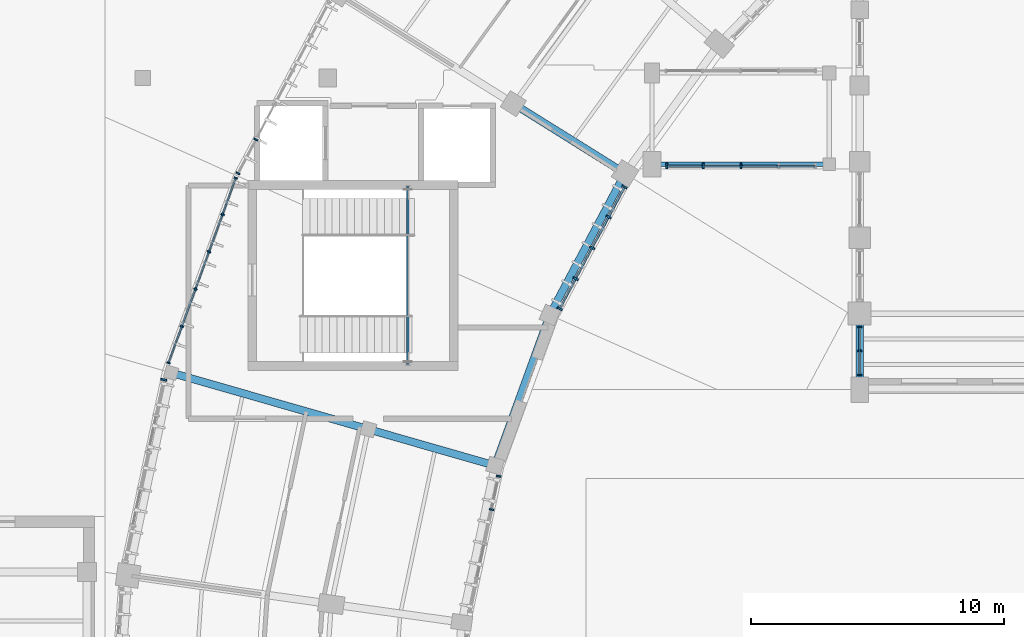
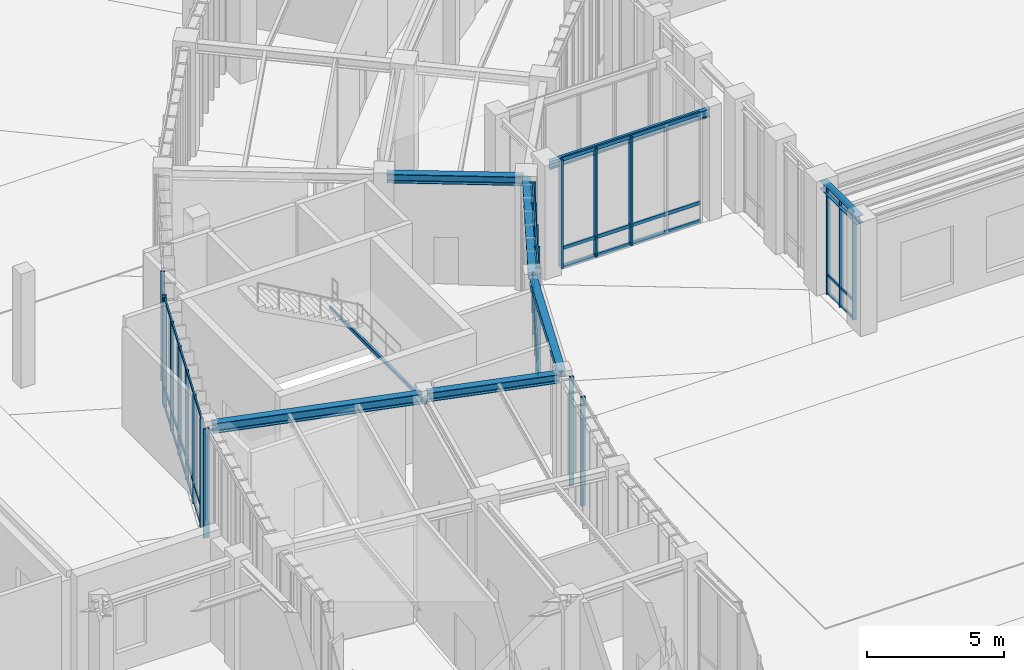
# One storey, part 7 of 68: 35 members, 7 beams, 7 elements without a shape of their own.
"""IFC4 building model written with IfcOpenShell, lengths in metres."""

from ifc_helpers import new_model, si_unit, direction, frame, origin, origin_2d, place, context, subcontext, project, spatial, rectangle, hollow_rectangle, i_section, extrude, material, layer, layer_set, material_profile, profile_set, type_object, element, aggregate, save


model = new_model("IFC4")

# Units and contexts
model_context = context("Model", 3, precision=1e-05, world=origin(), true_north=direction((0.0, 1.0)))
body_context = subcontext(model_context, "Body", "Model", "MODEL_VIEW")
ifc_project = project(units=[si_unit("LENGTHUNIT", "METRE"), si_unit("AREAUNIT", "SQUARE_METRE"), si_unit("VOLUMEUNIT", "CUBIC_METRE"), si_unit("PLANEANGLEUNIT", "RADIAN"), si_unit("MASSUNIT", "GRAM", prefix="KILO"), si_unit("THERMODYNAMICTEMPERATUREUNIT", "KELVIN"), si_unit("POWERUNIT", "WATT")], contexts=[model_context])

# Site, building, storey
site_placement = place(None, origin())
site = spatial("IfcSite", under=ifc_project, at=site_placement, CompositionType="ELEMENT")
building_placement = place(site_placement, origin())
building = spatial("IfcBuilding", under=site, at=building_placement, Name="Solvatero Civic Police Headquarters", CompositionType="ELEMENT")
storey_placement = place(building_placement, origin())
storey = spatial("IfcBuildingStorey", under=building, at=storey_placement, Name="L00", CompositionType="ELEMENT", Elevation=0.0)

# Beams
ifc_material_1 = material(Name="Steel S355", Category="steel")
ifc_material_profile_1 = material_profile(ifc_material_1, i_section(OverallWidth=0.300048828125, OverallDepth=0.2900390625, WebThickness=0.008544921875, FlangeThickness=0.013916015625, FilletRadius=0.027099609375, at=origin_2d()), Name="HEA 300")
ifc_profile_set_1 = profile_set([ifc_material_profile_1], Name="Steel S355")
beam_type_1 = type_object("IfcBeamType", Name="BM-ST-HEA300", PredefinedType="SPANDREL", material=ifc_profile_set_1)
beam_1_placement = place(storey_placement, frame((55.494140625, 49.943603515625, 4.735107421875), z_axis=(-0.469466925059, -0.882950058766, 0.0), x_axis=(0.882950058766, -0.469466925059, 0.0)))
element("IfcBeam", 1, at=beam_1_placement, inside=storey, type_object=beam_type_1, Name="Perimeter / radial spandrel beam BM-R2-L00-ARC-CIN-B09", PredefinedType="SPANDREL", context=body_context, shape_type="SweptSolid", body=[
    extrude(i_section(OverallWidth=0.300048828125, OverallDepth=0.2900390625, WebThickness=0.008544921875, FlangeThickness=0.013916015625, FilletRadius=0.027099609375, at=origin_2d()), origin(), (0.0, 0.0, 1.0), 6.127197265625),
])
beam_2_placement = place(storey_placement, frame((52.53662109375, 44.3515625, 4.735107421875), z_axis=(-0.342050189855, -0.939681684199, 0.0), x_axis=(0.939681684199, -0.342050189855, 0.0)))
element("IfcBeam", 2, at=beam_2_placement, inside=storey, type_object=beam_type_1, Name="Perimeter / radial spandrel beam BM-R2-L00-ARC-CIN-B10", PredefinedType="SPANDREL", context=body_context, shape_type="SweptSolid", body=[
    extrude(i_section(OverallWidth=0.300048828125, OverallDepth=0.2900390625, WebThickness=0.008544921875, FlangeThickness=0.013916015625, FilletRadius=0.027099609375, at=origin_2d()), origin(), (0.0, 0.0, 1.0), 6.126953125),
])
ifc_material_profile_2 = material_profile(ifc_material_1, i_section(OverallWidth=0.300048828125, OverallDepth=0.35009765625, WebThickness=0.010009765625, FlangeThickness=0.017578125, FilletRadius=0.027099609375, at=origin_2d()), Name="HEA 360")
ifc_profile_set_2 = profile_set([ifc_material_profile_2], Name="Steel S355")
beam_type_2 = type_object("IfcBeamType", Name="BM-ST-HEA360", PredefinedType="SPANDREL", material=ifc_profile_set_2)
beam_3_placement = place(storey_placement, frame((64.800048828125, 41.659912109375, 4.705078125), z_axis=(0.0, 1.0, 0.0), x_axis=(-1.0, 0.0, 0.0)))
element("IfcBeam", 3, at=beam_3_placement, inside=storey, type_object=beam_type_2, Name="Perimeter / radial spandrel beam BM-R2-L00-V2-GY-1-1", PredefinedType="SPANDREL", context=body_context, shape_type="SweptSolid", body=[
    extrude(i_section(OverallWidth=0.300048828125, OverallDepth=0.35009765625, WebThickness=0.010009765625, FlangeThickness=0.017578125, FilletRadius=0.027099609375, at=origin_2d()), origin(), (0.0, 0.0, 1.0), 2.68017578125),
])
ifc_material_profile_3 = material_profile(ifc_material_1, i_section(OverallWidth=0.300048828125, OverallDepth=0.389892578125, WebThickness=0.010986328125, FlangeThickness=0.01904296875, FilletRadius=0.027099609375, at=origin_2d()), Name="HEA 400")
ifc_profile_set_3 = profile_set([ifc_material_profile_3], Name="Steel S355")
beam_type_3 = type_object("IfcBeamType", Name="BM-ST-HEA400", PredefinedType="BEAM", material=ifc_profile_set_3)
for number, where, z_axis, x_axis, name in (
    (4, (55.456298828125, 50.084716796875, 4.68505859375), (-0.848042191304, 0.529928713855, 0.0), (-0.529928713855, -0.848042191304, 0.0), "Primary girder BM-R2-L00-ARC-RAD1-S08"),
    (5, (50.310791015625, 38.52783203125, 4.68505859375), (-0.961263719424, 0.275630298987, 0.0), (-0.275630298987, -0.961263719424, 0.0), "Primary girder BM-R2-L00-ARC-RAD1-S10"),
):
    element("IfcBeam", number, at=place(storey_placement, frame(where, z_axis=z_axis, x_axis=x_axis)), inside=storey, type_object=beam_type_3, Name=name, PredefinedType="BEAM", context=body_context, shape_type="SweptSolid", body=[
        extrude(i_section(OverallWidth=0.300048828125, OverallDepth=0.389892578125, WebThickness=0.010986328125, FlangeThickness=0.01904296875, FilletRadius=0.027099609375, at=origin_2d()), origin(), (0.0, 0.0, 1.0), 5.0),
    ])
ifc_material_profile_4 = material_profile(ifc_material_1, i_section(OverallWidth=0.300048828125, OverallDepth=0.43994140625, WebThickness=0.011474609375, FlangeThickness=0.02099609375, FilletRadius=0.027099609375, at=origin_2d()), Name="HEA 450")
ifc_profile_set_4 = profile_set([ifc_material_profile_4], Name="Steel S355")
beam_type_4 = type_object("IfcBeamType", Name="BM-ST-HEA450", PredefinedType="BEAM", material=ifc_profile_set_4)
beam_4_placement = place(storey_placement, frame((45.31201171875, 39.961181640625, 4.659912109375), z_axis=(-0.961271645974, 0.275602653554, 0.0), x_axis=(-0.275602653554, -0.961271645974, 0.0)))
element("IfcBeam", 6, at=beam_4_placement, inside=storey, type_object=beam_type_4, Name="Primary girder BM-R2-L00-ARC-RAD2-S10", PredefinedType="BEAM", context=body_context, shape_type="SweptSolid", body=[
    extrude(i_section(OverallWidth=0.300048828125, OverallDepth=0.43994140625, WebThickness=0.011474609375, FlangeThickness=0.02099609375, FilletRadius=0.027099609375, at=origin_2d()), origin(), (0.0, 0.0, 1.0), 7.89990234375),
])
ifc_material_profile_5 = material_profile(ifc_material_1, i_section(OverallWidth=0.169921875, OverallDepth=0.360107421875, WebThickness=0.008056640625, FlangeThickness=0.0126953125, FilletRadius=0.01806640625, at=origin_2d()), Name="IPE 360")
ifc_profile_set_5 = profile_set([ifc_material_profile_5], Name="Steel S355")
beam_type_5 = type_object("IfcBeamType", Name="BM-ST-IPE360", PredefinedType="BEAM", material=ifc_profile_set_5)
beam_5_placement = place(storey_placement, frame((56.719970703125, 50.39990234375, 4.699951171875), z_axis=(1.0, 0.0, 0.0), x_axis=(0.0, 1.0, 0.0)))
element("IfcBeam", 7, at=beam_5_placement, inside=storey, type_object=beam_type_5, Name="Composite floor beam BM-R2-L00-V2LK-S", PredefinedType="BEAM", context=body_context, shape_type="SweptSolid", body=[
    extrude(i_section(OverallWidth=0.169921875, OverallDepth=0.360107421875, WebThickness=0.008056640625, FlangeThickness=0.0126953125, FilletRadius=0.01806640625, at=origin_2d()), origin(), (0.0, 0.0, 1.0), 6.760009765625),
])

# Curtain wall, member
ifc_material_2 = material(Name="Anodized Bronze Aluminium", Category="aluminium")
ifc_layer_1 = layer(ifc_material_2, 0.179931640625)
ifc_layer_set_1 = layer_set([ifc_layer_1], Name="Anodized Bronze Aluminium")
curtain_wall_type_1 = type_object("IfcCurtainWallType", Name="CW-ARC-OUT", PredefinedType="USERDEFINED", material=ifc_layer_set_1)
curtain_wall_1_placement = place(storey_placement, origin())
curtain_wall_1 = element("IfcCurtainWall", 8, at=curtain_wall_1_placement, inside=storey, type_object=curtain_wall_type_1, Name="Curtain Wall CW-R2-L00-ARC-OUT-B11", ObjectType="UNITISED", PredefinedType="USERDEFINED")
ifc_material_profile_6 = material_profile(ifc_material_2, rectangle(XDim=0.080078125, YDim=0.239990234375, at=origin_2d()), Name="ALU MULLION 80x240")
ifc_profile_set_6 = profile_set([ifc_material_profile_6], Name="Anodized Bronze Aluminium")
member_type_1 = type_object("IfcMemberType", Name="CWM-140x60", PredefinedType="MULLION", material=ifc_profile_set_6)
member_1_placement = place(storey_placement, frame((37.3291015625, 41.89111328125, 0.0), z_axis=(0.0, 0.0, 1.0), x_axis=(-0.207911690818, -0.978147600734, 0.0)))
member_1 = element("IfcMember", 9, at=member_1_placement, type_object=member_type_1, Name="CW-R2-L00-ARC-OUT-B11 Mullion 1", PredefinedType="MULLION", context=body_context, shape_type="SweptSolid", body=[
    extrude(rectangle(XDim=0.080078125, YDim=0.239990234375, at=origin_2d()), origin(), (0.0, 0.0, 1.0), 4.8798828125),
])
aggregate(curtain_wall_1, [member_1])

# Curtain wall, members
curtain_wall_2_placement = place(storey_placement, origin())
curtain_wall_2 = element("IfcCurtainWall", 10, at=curtain_wall_2_placement, inside=storey, type_object=curtain_wall_type_1, Name="Curtain Wall CW-R2-L00-ARC-OUT-B10", ObjectType="UNITISED", PredefinedType="USERDEFINED")
ifc_material_profile_7 = material_profile(ifc_material_2, rectangle(XDim=0.06005859375, YDim=0.139892578125, at=origin_2d()), Name="ALU MULLION 60x140")
ifc_profile_set_7 = profile_set([ifc_material_profile_7], Name="Anodized Bronze Aluminium")
member_type_2 = type_object("IfcMemberType", Name="CWM-160x65", PredefinedType="MULLION", material=ifc_profile_set_7)
member_2_placement = place(storey_placement, frame((40.17626953125, 49.854736328125, 0.0), z_axis=(0.0, 0.0, 1.0), x_axis=(-0.342003742543, -0.93969859002, 0.0)))
member_2 = element("IfcMember", 11, at=member_2_placement, type_object=member_type_2, Name="CW-R2-L00-ARC-OUT-B10 Mullion 1", PredefinedType="MULLION", context=body_context, shape_type="SweptSolid", body=[
    extrude(rectangle(XDim=0.06005859375, YDim=0.139892578125, at=origin_2d()), origin(), (0.0, 0.0, 1.0), 4.8798828125),
])
member_3_placement = place(storey_placement, frame((39.653076171875, 48.417236328125, 0.0), z_axis=(0.0, 0.0, 1.0), x_axis=(-0.342003742543, -0.93969859002, 0.0)))
member_3 = element("IfcMember", 12, at=member_3_placement, type_object=member_type_2, Name="CW-R2-L00-ARC-OUT-B10 Mullion 2", PredefinedType="MULLION", context=body_context, shape_type="SweptSolid", body=[
    extrude(rectangle(XDim=0.06005859375, YDim=0.139892578125, at=origin_2d()), origin(), (0.0, 0.0, 1.0), 4.8798828125),
])
member_4_placement = place(storey_placement, frame((39.1162109375, 46.942138671875, 0.0), z_axis=(0.0, 0.0, 1.0), x_axis=(-0.342003742543, -0.93969859002, 0.0)))
member_4 = element("IfcMember", 13, at=member_4_placement, type_object=member_type_2, Name="CW-R2-L00-ARC-OUT-B10 Mullion 3", PredefinedType="MULLION", context=body_context, shape_type="SweptSolid", body=[
    extrude(rectangle(XDim=0.06005859375, YDim=0.139892578125, at=origin_2d()), origin(), (0.0, 0.0, 1.0), 4.8798828125),
])
member_5_placement = place(storey_placement, frame((38.579345703125, 45.467041015625, 0.0), z_axis=(0.0, 0.0, 1.0), x_axis=(-0.342003742543, -0.93969859002, 0.0)))
member_5 = element("IfcMember", 14, at=member_5_placement, type_object=member_type_2, Name="CW-R2-L00-ARC-OUT-B10 Mullion 4", PredefinedType="MULLION", context=body_context, shape_type="SweptSolid", body=[
    extrude(rectangle(XDim=0.06005859375, YDim=0.139892578125, at=origin_2d()), origin(), (0.0, 0.0, 1.0), 4.8798828125),
])
member_6_placement = place(storey_placement, frame((38.04248046875, 43.9921875, 0.0), z_axis=(0.0, 0.0, 1.0), x_axis=(-0.342003742543, -0.93969859002, 0.0)))
member_6 = element("IfcMember", 15, at=member_6_placement, type_object=member_type_2, Name="CW-R2-L00-ARC-OUT-B10 Mullion 5", PredefinedType="MULLION", context=body_context, shape_type="SweptSolid", body=[
    extrude(rectangle(XDim=0.06005859375, YDim=0.139892578125, at=origin_2d()), origin(), (0.0, 0.0, 1.0), 4.8798828125),
])
member_7_placement = place(storey_placement, frame((37.519287109375, 42.5546875, 0.0), z_axis=(0.0, 0.0, 1.0), x_axis=(-0.342003742543, -0.93969859002, 0.0)))
member_7 = element("IfcMember", 16, at=member_7_placement, type_object=member_type_2, Name="CW-R2-L00-ARC-OUT-B10 Mullion 6", PredefinedType="MULLION", context=body_context, shape_type="SweptSolid", body=[
    extrude(rectangle(XDim=0.06005859375, YDim=0.139892578125, at=origin_2d()), origin(), (0.0, 0.0, 1.0), 4.8798828125),
])

curtain_wall_3_placement = place(storey_placement, origin())
curtain_wall_3 = element("IfcCurtainWall", 17, at=curtain_wall_3_placement, inside=storey, type_object=curtain_wall_type_1, Name="Curtain Wall CW-R2-L00-ARC-OUT-B09", ObjectType="UNITISED", PredefinedType="USERDEFINED")
ifc_material_profile_8 = material_profile(ifc_material_2, rectangle(XDim=0.06005859375, YDim=0.159912109375, at=origin_2d()), Name="ALU MULLION 60x160")
ifc_profile_set_8 = profile_set([ifc_material_profile_8], Name="Anodized Bronze Aluminium")
member_type_3 = type_object("IfcMemberType", Name="CWM-180x70", PredefinedType="MULLION", material=ifc_profile_set_8)
member_8_placement = place(storey_placement, frame((40.966064453125, 51.3701171875, 0.0), z_axis=(0.0, 0.0, 1.0), x_axis=(-0.469471562786, -0.882947592859, 0.0)))
member_8 = element("IfcMember", 18, at=member_8_placement, type_object=member_type_3, Name="CW-R2-L00-ARC-OUT-B09 Mullion 5", PredefinedType="MULLION", context=body_context, shape_type="SweptSolid", body=[
    extrude(rectangle(XDim=0.06005859375, YDim=0.159912109375, at=origin_2d()), origin(), (0.0, 0.0, 1.0), 4.8798828125),
])
member_9_placement = place(storey_placement, frame((40.25732421875, 50.037109375, 0.0), z_axis=(0.0, 0.0, 1.0), x_axis=(-0.469471562786, -0.882947592859, 0.0)))
member_9 = element("IfcMember", 19, at=member_9_placement, type_object=member_type_3, Name="CW-R2-L00-ARC-OUT-B09 Mullion 6", PredefinedType="MULLION", context=body_context, shape_type="SweptSolid", body=[
    extrude(rectangle(XDim=0.06005859375, YDim=0.159912109375, at=origin_2d()), origin(), (0.0, 0.0, 1.0), 4.8798828125),
])
aggregate(curtain_wall_3, [member_8, member_9])

ifc_layer_2 = layer(ifc_material_2, 0.179931640625)
ifc_layer_set_2 = layer_set([ifc_layer_2], Name="Anodized Bronze Aluminium")
curtain_wall_type_2 = type_object("IfcCurtainWallType", Name="CW-HAL-GLZ", PredefinedType="USERDEFINED", material=ifc_layer_set_2)
curtain_wall_4_placement = place(storey_placement, origin())
curtain_wall_4 = element("IfcCurtainWall", 20, at=curtain_wall_4_placement, inside=storey, type_object=curtain_wall_type_2, Name="Curtain Wall CW-R2-L00-V2-W-B1", ObjectType="UNITISED", PredefinedType="USERDEFINED")
member_10_placement = place(storey_placement, frame((64.800048828125, 42.080078125, 0.0), z_axis=(0.0, 0.0, 1.0), x_axis=(0.0, 1.0, 0.0)))
member_10 = element("IfcMember", 21, at=member_10_placement, type_object=member_type_3, Name="CW-R2-L00-V2-W-B1 Mullion 1", PredefinedType="MULLION", context=body_context, shape_type="SweptSolid", body=[
    extrude(rectangle(XDim=0.06005859375, YDim=0.159912109375, at=origin_2d()), origin(), (0.0, 0.0, 1.0), 4.860107421875),
])
member_11_placement = place(storey_placement, frame((64.800048828125, 43.02490234375, 0.0), z_axis=(0.0, 0.0, 1.0), x_axis=(0.0, 1.0, 0.0)))
member_11 = element("IfcMember", 22, at=member_11_placement, type_object=member_type_3, Name="CW-R2-L00-V2-W-B1 Mullion 2", PredefinedType="MULLION", context=body_context, shape_type="SweptSolid", body=[
    extrude(rectangle(XDim=0.06005859375, YDim=0.159912109375, at=origin_2d()), origin(), (0.0, 0.0, 1.0), 4.860107421875),
])
member_12_placement = place(storey_placement, frame((64.800048828125, 43.969970703125, 0.0), z_axis=(0.0, 0.0, 1.0), x_axis=(0.0, 1.0, 0.0)))
member_12 = element("IfcMember", 23, at=member_12_placement, type_object=member_type_3, Name="CW-R2-L00-V2-W-B1 Mullion 3", PredefinedType="MULLION", context=body_context, shape_type="SweptSolid", body=[
    extrude(rectangle(XDim=0.06005859375, YDim=0.159912109375, at=origin_2d()), origin(), (0.0, 0.0, 1.0), 4.860107421875),
])

ifc_layer_3 = layer(ifc_material_2, 0.179931640625)
ifc_layer_set_3 = layer_set([ifc_layer_3], Name="Anodized Bronze Aluminium")
curtain_wall_type_3 = type_object("IfcCurtainWallType", Name="CW-ARC-IN", PredefinedType="USERDEFINED", material=ifc_layer_set_3)
curtain_wall_5_placement = place(storey_placement, origin())
curtain_wall_5 = element("IfcCurtainWall", 24, at=curtain_wall_5_placement, inside=storey, type_object=curtain_wall_type_3, Name="Curtain Wall CW-R2-L00-ARC-IN-B11", ObjectType="UNITISED", PredefinedType="USERDEFINED")
ifc_material_profile_9 = material_profile(ifc_material_2, rectangle(XDim=0.06494140625, YDim=0.179931640625, at=origin_2d()), Name="ALU MULLION 65x180")
ifc_profile_set_9 = profile_set([ifc_material_profile_9], Name="Anodized Bronze Aluminium")
member_type_4 = type_object("IfcMemberType", Name="CWM-200x75", PredefinedType="MULLION", material=ifc_profile_set_9)
member_13_placement = place(storey_placement, frame((50.55224609375, 38.080810546875, 0.0), z_axis=(0.0, 0.0, 1.0), x_axis=(-0.207911690818, -0.978147600734, 0.0)))
member_13 = element("IfcMember", 25, at=member_13_placement, type_object=member_type_4, Name="CW-R2-L00-ARC-IN-B11 Mullion 1", PredefinedType="MULLION", context=body_context, shape_type="SweptSolid", body=[
    extrude(rectangle(XDim=0.06494140625, YDim=0.179931640625, at=origin_2d()), origin(), (0.0, 0.0, 1.0), 4.8798828125),
])
member_14_placement = place(storey_placement, frame((50.272216796875, 36.763427734375, 0.0), z_axis=(0.0, 0.0, 1.0), x_axis=(-0.207911690818, -0.978147600734, 0.0)))
member_14 = element("IfcMember", 26, at=member_14_placement, type_object=member_type_4, Name="CW-R2-L00-ARC-IN-B11 Mullion 2", PredefinedType="MULLION", context=body_context, shape_type="SweptSolid", body=[
    extrude(rectangle(XDim=0.06494140625, YDim=0.179931640625, at=origin_2d()), origin(), (0.0, 0.0, 1.0), 4.8798828125),
])
aggregate(curtain_wall_5, [member_13, member_14])

curtain_wall_6_placement = place(storey_placement, origin())
curtain_wall_6 = element("IfcCurtainWall", 27, at=curtain_wall_6_placement, inside=storey, type_object=curtain_wall_type_3, Name="Curtain Wall CW-R2-L00-ARC-IN-B09", ObjectType="UNITISED", PredefinedType="USERDEFINED")
ifc_material_profile_10 = material_profile(ifc_material_2, rectangle(XDim=0.074951171875, YDim=0.219970703125, at=origin_2d()), Name="ALU MULLION 75x220")
ifc_profile_set_10 = profile_set([ifc_material_profile_10], Name="Anodized Bronze Aluminium")
member_type_5 = type_object("IfcMemberType", Name="CWM-250x85", PredefinedType="MULLION", material=ifc_profile_set_10)
member_15_placement = place(storey_placement, frame((55.518310546875, 49.500244140625, 0.0), z_axis=(0.0, 0.0, 1.0), x_axis=(-0.469486973057, -0.8829393989, 0.0)))
member_15 = element("IfcMember", 28, at=member_15_placement, type_object=member_type_5, Name="CW-R2-L00-ARC-IN-B09 Mullion 1", PredefinedType="MULLION", context=body_context, shape_type="SweptSolid", body=[
    extrude(rectangle(XDim=0.074951171875, YDim=0.219970703125, at=origin_2d()), origin(), (0.0, 0.0, 1.0), 4.8798828125),
])
member_16_placement = place(storey_placement, frame((54.888916015625, 48.316650390625, 0.0), z_axis=(0.0, 0.0, 1.0), x_axis=(-0.469486973057, -0.8829393989, 0.0)))
member_16 = element("IfcMember", 29, at=member_16_placement, type_object=member_type_5, Name="CW-R2-L00-ARC-IN-B09 Mullion 2", PredefinedType="MULLION", context=body_context, shape_type="SweptSolid", body=[
    extrude(rectangle(XDim=0.074951171875, YDim=0.219970703125, at=origin_2d()), origin(), (0.0, 0.0, 1.0), 4.8798828125),
])
member_17_placement = place(storey_placement, frame((54.24072265625, 47.097900390625, 0.0), z_axis=(0.0, 0.0, 1.0), x_axis=(-0.469486973057, -0.8829393989, 0.0)))
member_17 = element("IfcMember", 30, at=member_17_placement, type_object=member_type_5, Name="CW-R2-L00-ARC-IN-B09 Mullion 3", PredefinedType="MULLION", context=body_context, shape_type="SweptSolid", body=[
    extrude(rectangle(XDim=0.074951171875, YDim=0.219970703125, at=origin_2d()), origin(), (0.0, 0.0, 1.0), 4.8798828125),
])
member_18_placement = place(storey_placement, frame((53.5927734375, 45.87890625, 0.0), z_axis=(0.0, 0.0, 1.0), x_axis=(-0.469486973057, -0.8829393989, 0.0)))
member_18 = element("IfcMember", 31, at=member_18_placement, type_object=member_type_5, Name="CW-R2-L00-ARC-IN-B09 Mullion 4", PredefinedType="MULLION", context=body_context, shape_type="SweptSolid", body=[
    extrude(rectangle(XDim=0.074951171875, YDim=0.219970703125, at=origin_2d()), origin(), (0.0, 0.0, 1.0), 4.8798828125),
])
member_19_placement = place(storey_placement, frame((52.96337890625, 44.6953125, 0.0), z_axis=(0.0, 0.0, 1.0), x_axis=(-0.469486973057, -0.8829393989, 0.0)))
member_19 = element("IfcMember", 32, at=member_19_placement, type_object=member_type_5, Name="CW-R2-L00-ARC-IN-B09 Mullion 5", PredefinedType="MULLION", context=body_context, shape_type="SweptSolid", body=[
    extrude(rectangle(XDim=0.074951171875, YDim=0.219970703125, at=origin_2d()), origin(), (0.0, 0.0, 1.0), 4.8798828125),
])

ifc_layer_4 = layer(ifc_material_2, 0.179931640625)
ifc_layer_set_4 = layer_set([ifc_layer_4], Name="Anodized Bronze Aluminium")
curtain_wall_type_4 = type_object("IfcCurtainWallType", Name="CW-SB-GLZ", PredefinedType="USERDEFINED", material=ifc_layer_set_4)
curtain_wall_7_placement = place(storey_placement, origin())
curtain_wall_7 = element("IfcCurtainWall", 33, at=curtain_wall_7_placement, inside=storey, type_object=curtain_wall_type_4, Name="Curtain Wall CW-R2-L00-V2LK-S", ObjectType="UNITISED", PredefinedType="USERDEFINED")
member_20_placement = place(storey_placement, frame((57.179931640625, 50.320068359375, 0.0), z_axis=(0.0, 0.0, 1.0), x_axis=(1.0, 0.0, 0.0)))
member_20 = element("IfcMember", 34, at=member_20_placement, type_object=member_type_5, Name="CW-R2-L00-V2LK-S Mullion 1", PredefinedType="MULLION", context=body_context, shape_type="SweptSolid", body=[
    extrude(rectangle(XDim=0.074951171875, YDim=0.219970703125, at=origin_2d()), origin(), (0.0, 0.0, 1.0), 4.860107421875),
])
member_21_placement = place(storey_placement, frame((58.62744140625, 50.320068359375, 0.0), z_axis=(0.0, 0.0, 1.0), x_axis=(1.0, 0.0, 0.0)))
member_21 = element("IfcMember", 35, at=member_21_placement, type_object=member_type_5, Name="CW-R2-L00-V2LK-S Mullion 2", PredefinedType="MULLION", context=body_context, shape_type="SweptSolid", body=[
    extrude(rectangle(XDim=0.074951171875, YDim=0.219970703125, at=origin_2d()), origin(), (0.0, 0.0, 1.0), 4.860107421875),
])
member_22_placement = place(storey_placement, frame((60.114990234375, 50.320068359375, 0.0), z_axis=(0.0, 0.0, 1.0), x_axis=(1.0, 0.0, 0.0)))
member_22 = element("IfcMember", 36, at=member_22_placement, type_object=member_type_5, Name="CW-R2-L00-V2LK-S Mullion 3", PredefinedType="MULLION", context=body_context, shape_type="SweptSolid", body=[
    extrude(rectangle(XDim=0.074951171875, YDim=0.219970703125, at=origin_2d()), origin(), (0.0, 0.0, 1.0), 4.860107421875),
])

# Member
ifc_material_profile_11 = material_profile(ifc_material_2, rectangle(XDim=0.070068359375, YDim=0.159912109375, at=origin_2d()), Name="ALU TRANSOM 70x160")
ifc_profile_set_11 = profile_set([ifc_material_profile_11], Name="Anodized Bronze Aluminium")
member_type_6 = type_object("IfcMemberType", Name="CWT-120x55", PredefinedType="USERDEFINED", material=ifc_profile_set_11)
member_23_placement = place(storey_placement, frame((55.513427734375, 49.491455078125, 0.0400390625), z_axis=(-0.469461374086, -0.882953010211, 0.0), x_axis=(0.882953010211, -0.469461374086, 0.0)))
member_23 = element("IfcMember", 37, at=member_23_placement, type_object=member_type_6, Name="CW-R2-L00-ARC-IN-B09 Transom 1", ObjectType="TRANSOM", PredefinedType="USERDEFINED", context=body_context, shape_type="SweptSolid", body=[
    extrude(rectangle(XDim=0.070068359375, YDim=0.159912109375, at=origin_2d()), origin(), (0.0, 0.0, 1.0), 5.421875),
])

member_24_placement = place(storey_placement, frame((55.513427734375, 49.491455078125, 0.85009765625), z_axis=(-0.469461374086, -0.882953010211, 0.0), x_axis=(0.882953010211, -0.469461374086, 0.0)))
member_24 = element("IfcMember", 38, at=member_24_placement, type_object=member_type_6, Name="CW-R2-L00-ARC-IN-B09 Transom 2", ObjectType="TRANSOM", PredefinedType="USERDEFINED", context=body_context, shape_type="SweptSolid", body=[
    extrude(rectangle(XDim=0.070068359375, YDim=0.159912109375, at=origin_2d()), origin(), (0.0, 0.0, 1.0), 5.421875),
])

member_25_placement = place(storey_placement, frame((55.513427734375, 49.491455078125, 4.840087890625), z_axis=(-0.469461374086, -0.882953010211, 0.0), x_axis=(0.882953010211, -0.469461374086, 0.0)))
member_25 = element("IfcMember", 39, at=member_25_placement, type_object=member_type_6, Name="CW-R2-L00-ARC-IN-B09 Transom 3", ObjectType="TRANSOM", PredefinedType="USERDEFINED", context=body_context, shape_type="SweptSolid", body=[
    extrude(rectangle(XDim=0.070068359375, YDim=0.159912109375, at=origin_2d()), origin(), (0.0, 0.0, 1.0), 5.421875),
])

aggregate(curtain_wall_6, [member_15, member_16, member_17, member_18, member_19, member_23, member_24, member_25])

member_26_placement = place(storey_placement, frame((57.18994140625, 50.320068359375, 0.0400390625), z_axis=(1.0, 0.0, 0.0), x_axis=(0.0, 1.0, 0.0)))
member_26 = element("IfcMember", 40, at=member_26_placement, type_object=member_type_6, Name="CW-R2-L00-V2LK-S Transom 1", ObjectType="TRANSOM", PredefinedType="USERDEFINED", context=body_context, shape_type="SweptSolid", body=[
    extrude(rectangle(XDim=0.070068359375, YDim=0.159912109375, at=origin_2d()), origin(), (0.0, 0.0, 1.0), 5.85009765625),
])

member_27_placement = place(storey_placement, frame((57.18994140625, 50.320068359375, 0.85009765625), z_axis=(1.0, 0.0, 0.0), x_axis=(0.0, 1.0, 0.0)))
member_27 = element("IfcMember", 41, at=member_27_placement, type_object=member_type_6, Name="CW-R2-L00-V2LK-S Transom 2", ObjectType="TRANSOM", PredefinedType="USERDEFINED", context=body_context, shape_type="SweptSolid", body=[
    extrude(rectangle(XDim=0.070068359375, YDim=0.159912109375, at=origin_2d()), origin(), (0.0, 0.0, 1.0), 5.85009765625),
])

member_28_placement = place(storey_placement, frame((57.18994140625, 50.320068359375, 4.820068359375), z_axis=(1.0, 0.0, 0.0), x_axis=(0.0, 1.0, 0.0)))
member_28 = element("IfcMember", 42, at=member_28_placement, type_object=member_type_6, Name="CW-R2-L00-V2LK-S Transom 3", ObjectType="TRANSOM", PredefinedType="USERDEFINED", context=body_context, shape_type="SweptSolid", body=[
    extrude(rectangle(XDim=0.070068359375, YDim=0.159912109375, at=origin_2d()), origin(), (0.0, 0.0, 1.0), 5.85009765625),
])

aggregate(curtain_wall_7, [member_20, member_21, member_22, member_26, member_27, member_28])

ifc_material_profile_12 = material_profile(ifc_material_2, rectangle(XDim=0.06005859375, YDim=0.110107421875, at=origin_2d()), Name="ALU TRANSOM 60x110")
ifc_profile_set_12 = profile_set([ifc_material_profile_12], Name="Anodized Bronze Aluminium")
member_type_7 = type_object("IfcMemberType", Name="CWT-140x60", PredefinedType="USERDEFINED", material=ifc_profile_set_12)
member_29_placement = place(storey_placement, frame((64.800048828125, 42.090087890625, 0.0400390625), z_axis=(0.0, 1.0, 0.0), x_axis=(-1.0, 0.0, 0.0)))
member_29 = element("IfcMember", 43, at=member_29_placement, type_object=member_type_7, Name="CW-R2-L00-V2-W-B1 Transom 1", ObjectType="TRANSOM", PredefinedType="USERDEFINED", context=body_context, shape_type="SweptSolid", body=[
    extrude(rectangle(XDim=0.06005859375, YDim=0.110107421875, at=origin_2d()), origin(), (0.0, 0.0, 1.0), 1.869873046875),
])

member_30_placement = place(storey_placement, frame((64.800048828125, 42.090087890625, 0.85009765625), z_axis=(0.0, 1.0, 0.0), x_axis=(-1.0, 0.0, 0.0)))
member_30 = element("IfcMember", 44, at=member_30_placement, type_object=member_type_7, Name="CW-R2-L00-V2-W-B1 Transom 2", ObjectType="TRANSOM", PredefinedType="USERDEFINED", context=body_context, shape_type="SweptSolid", body=[
    extrude(rectangle(XDim=0.06005859375, YDim=0.110107421875, at=origin_2d()), origin(), (0.0, 0.0, 1.0), 1.869873046875),
])

member_31_placement = place(storey_placement, frame((64.800048828125, 42.090087890625, 4.820068359375), z_axis=(0.0, 1.0, 0.0), x_axis=(-1.0, 0.0, 0.0)))
member_31 = element("IfcMember", 45, at=member_31_placement, type_object=member_type_7, Name="CW-R2-L00-V2-W-B1 Transom 3", ObjectType="TRANSOM", PredefinedType="USERDEFINED", context=body_context, shape_type="SweptSolid", body=[
    extrude(rectangle(XDim=0.06005859375, YDim=0.110107421875, at=origin_2d()), origin(), (0.0, 0.0, 1.0), 1.869873046875),
])

aggregate(curtain_wall_4, [member_10, member_11, member_12, member_29, member_30, member_31])

ifc_material_profile_13 = material_profile(ifc_material_2, rectangle(XDim=0.06005859375, YDim=0.125, at=origin_2d()), Name="ALU TRANSOM 60x125")
ifc_profile_set_13 = profile_set([ifc_material_profile_13], Name="Anodized Bronze Aluminium")
member_type_8 = type_object("IfcMemberType", Name="CWT-160x65", PredefinedType="USERDEFINED", material=ifc_profile_set_13)
member_32_placement = place(storey_placement, frame((40.1728515625, 49.84521484375, 0.0400390625), z_axis=(-0.342018800437, -0.939693109556, 0.0), x_axis=(0.939693109556, -0.342018800437, 0.0)))
member_32 = element("IfcMember", 46, at=member_32_placement, type_object=member_type_8, Name="CW-R2-L00-ARC-OUT-B10 Transom 1", ObjectType="TRANSOM", PredefinedType="USERDEFINED", context=body_context, shape_type="SweptSolid", body=[
    extrude(rectangle(XDim=0.06005859375, YDim=0.125, at=origin_2d()), origin(), (0.0, 0.0, 1.0), 7.74853515625),
])

member_33_placement = place(storey_placement, frame((40.1728515625, 49.84521484375, 0.85009765625), z_axis=(-0.342018800437, -0.939693109556, 0.0), x_axis=(0.939693109556, -0.342018800437, 0.0)))
member_33 = element("IfcMember", 47, at=member_33_placement, type_object=member_type_8, Name="CW-R2-L00-ARC-OUT-B10 Transom 2", ObjectType="TRANSOM", PredefinedType="USERDEFINED", context=body_context, shape_type="SweptSolid", body=[
    extrude(rectangle(XDim=0.06005859375, YDim=0.125, at=origin_2d()), origin(), (0.0, 0.0, 1.0), 7.74853515625),
])

member_34_placement = place(storey_placement, frame((40.1728515625, 49.84521484375, 4.840087890625), z_axis=(-0.342018800437, -0.939693109556, 0.0), x_axis=(0.939693109556, -0.342018800437, 0.0)))
member_34 = element("IfcMember", 48, at=member_34_placement, type_object=member_type_8, Name="CW-R2-L00-ARC-OUT-B10 Transom 3", ObjectType="TRANSOM", PredefinedType="USERDEFINED", context=body_context, shape_type="SweptSolid", body=[
    extrude(rectangle(XDim=0.06005859375, YDim=0.125, at=origin_2d()), origin(), (0.0, 0.0, 1.0), 7.74853515625),
])

aggregate(curtain_wall_2, [member_2, member_3, member_4, member_5, member_6, member_7, member_32, member_33, member_34])

ifc_material_profile_14 = material_profile(ifc_material_1, hollow_rectangle(XDim=0.10009765625, YDim=0.14990234375, WallThickness=0.00634765625, InnerFilletRadius=0.00634765625, OuterFilletRadius=0.0126953125, at=origin_2d()), Name="RHS 150x100x6.3")
ifc_profile_set_14 = profile_set([ifc_material_profile_14], Name="Steel S355")
member_type_9 = type_object("IfcMemberType", Name="MB-BR-RHS150", PredefinedType="BRACE", material=ifc_profile_set_14)
member_35_placement = place(storey_placement, frame((46.965087890625, 42.47998046875, 2.27490234375), z_axis=(0.0, 1.0, 0.0), x_axis=(-1.0, 0.0, 0.0)))
element("IfcMember", 49, at=member_35_placement, inside=storey, type_object=member_type_9, Name="ST-C2 L00 Landing Support Beam", PredefinedType="BRACE", context=body_context, shape_type="SweptSolid", body=[
    extrude(hollow_rectangle(XDim=0.10009765625, YDim=0.14990234375, WallThickness=0.00634765625, InnerFilletRadius=0.00634765625, OuterFilletRadius=0.0126953125, at=origin_2d()), origin(), (0.0, 0.0, 1.0), 7.0400390625),
])

save(model, "model.ifc")
